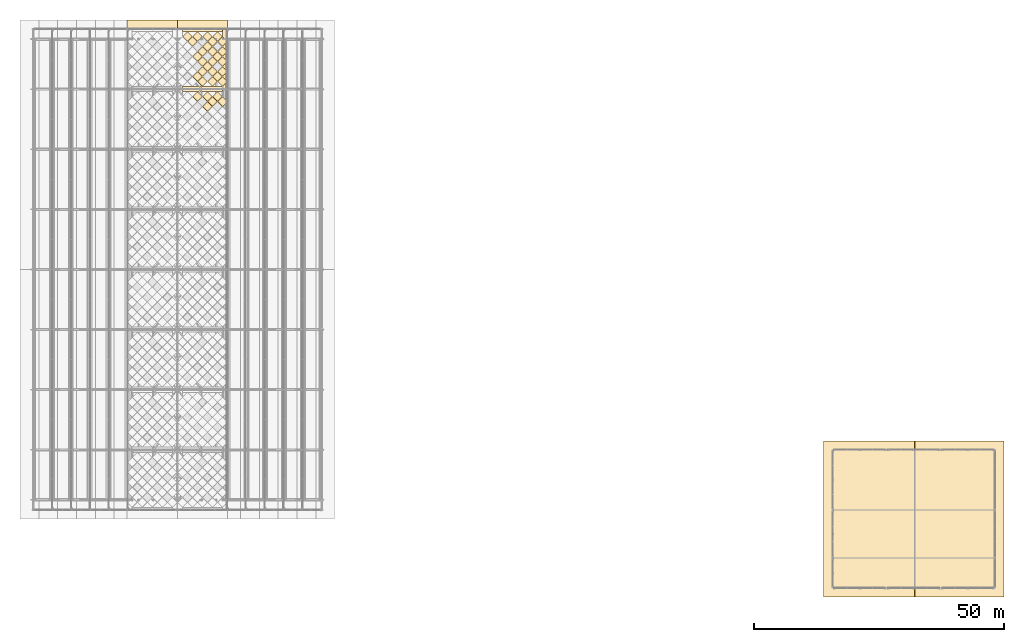
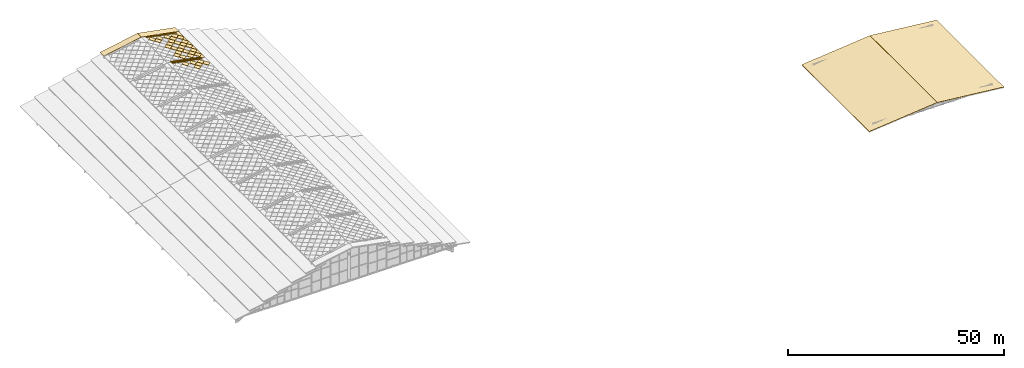
# One storey, part 117 of 117: 39 coverings.
"""IFC4 building model written with IfcOpenShell, lengths in metres."""

import ifcopenshell
import ifcopenshell.guid

model = None  # the IFC model being written
_history = None  # IfcOwnerHistory: only IFC2X3 demands one
_inside = {}  # id of a spatial element -> (the spatial element, [elements in it])
_under = {}  # id of a project, library or spatial element -> (it, [spatial elements below it])
_declared = {}  # id of a project -> (the project, [libraries it declares])
_typed = {}  # id of a type object -> (the type object, [elements of that type])
_made_of = {}  # id of a material, layer set ... -> (it, [elements and type objects made of it])


def new_model(schema):
    """Start an empty IFC model of exactly this schema.

    Asked for "IFC4X3", IfcOpenShell would pick the latest addendum, in which some entities
    have other attributes; the version numbers below select the first issue.
    IFC2X3 requires an IfcOwnerHistory on every rooted entity: one is made here for all.
    """
    global model, _history
    if schema == "IFC4X3":
        model = ifcopenshell.file(schema_version=(4, 3, 0, 0))
    else:
        model = ifcopenshell.file(schema=schema)
    _inside.clear()
    _under.clear()
    _declared.clear()
    _typed.clear()
    _made_of.clear()
    _history = None
    if model.schema == "IFC2X3":
        org = make("IfcOrganization", Name="unknown")
        user = make(
            "IfcPersonAndOrganization",
            ThePerson=make("IfcPerson", FamilyName="unknown"),
            TheOrganization=org,
        )
        app = make(
            "IfcApplication",
            ApplicationDeveloper=org,
            Version="unknown",
            ApplicationFullName="unknown",
            ApplicationIdentifier="unknown",
        )
        _history = make(
            "IfcOwnerHistory",
            OwningUser=user,
            OwningApplication=app,
            ChangeAction="ADDED",
            CreationDate=0,
        )
    return model


def make(cls, **values):
    """One entity of the class cls with the attributes given. An attribute that is None is left unset."""
    return model.create_entity(
        cls, **{name: value for name, value in values.items() if value is not None}
    )


def rooted(cls, **values):
    """An entity with a GlobalId (a new one), such as an element, a storey or a relation."""
    return make(cls, GlobalId=ifcopenshell.guid.new(), OwnerHistory=_history, **values)


def si_unit(unit_type, name, prefix=None):
    """IfcSIUnit, for example si_unit("LENGTHUNIT", "METRE", prefix="MILLI")."""
    return make("IfcSIUnit", UnitType=unit_type, Prefix=prefix, Name=name)


def assignment(units):
    """IfcUnitAssignment: the units of a project."""
    return None if units is None else make("IfcUnitAssignment", Units=units)


def point(xyz):
    """IfcCartesianPoint."""
    return None if xyz is None else make("IfcCartesianPoint", Coordinates=xyz)


def direction(xyz):
    """IfcDirection."""
    return None if xyz is None else make("IfcDirection", DirectionRatios=xyz)


def frame(location, z_axis=None, x_axis=None):
    """IfcAxis2Placement3D, a coordinate frame: its origin and axes. An axis left out is left unset."""
    return make(
        "IfcAxis2Placement3D",
        Location=point(location),
        Axis=direction(z_axis),
        RefDirection=direction(x_axis),
    )


def origin():
    """The frame at (0, 0, 0) with its axes left unset."""
    return frame((0.0, 0.0, 0.0))


def place(relative_to, where):
    """IfcLocalPlacement: puts the frame where relative to a parent placement (None: the world)."""
    return make(
        "IfcLocalPlacement", PlacementRelTo=relative_to, RelativePlacement=where
    )


def context(
    kind, dimensions, precision=None, world=None, true_north=None, identifier=None
):
    """IfcGeometricRepresentationContext, for example the 3D "Model" context."""
    return make(
        "IfcGeometricRepresentationContext",
        ContextIdentifier=identifier,
        ContextType=kind,
        CoordinateSpaceDimension=dimensions,
        Precision=precision,
        WorldCoordinateSystem=world,
        TrueNorth=true_north,
    )


def subcontext(parent, identifier, kind, view, scale=None):
    """IfcGeometricRepresentationSubContext, for example "Body" below "Model"."""
    return make(
        "IfcGeometricRepresentationSubContext",
        ContextIdentifier=identifier,
        ContextType=kind,
        ParentContext=parent,
        TargetScale=scale,
        TargetView=view,
    )


def project(units=None, contexts=None):
    """IfcProject with its units and contexts."""
    return rooted(
        "IfcProject",
        Name="project",
        RepresentationContexts=contexts,
        UnitsInContext=assignment(units),
    )


def spatial(cls, under=None, at=None, **own):
    """A site, building, storey or space (cls), placed at a placement, below another one or the project."""
    s = rooted(cls, ObjectPlacement=at, **own)
    if under is not None:
        _under.setdefault(under.id(), (under, []))[1].append(s)
    return s


def polyline(points):
    """IfcPolyline through the points."""
    return make("IfcPolyline", Points=[point(p) for p in points])


def outline(outer, holes=None, kind="AREA"):
    """IfcArbitraryClosedProfileDef: a profile drawn as a closed curve; with holes, ...WithVoids."""
    if holes is None:
        return make("IfcArbitraryClosedProfileDef", ProfileType=kind, OuterCurve=outer)
    return make(
        "IfcArbitraryProfileDefWithVoids",
        ProfileType=kind,
        OuterCurve=outer,
        InnerCurves=holes,
    )


def extrude(swept, where, along, depth):
    """IfcExtrudedAreaSolid: the profile swept, set in the frame where, extruded along a direction by depth."""
    return make(
        "IfcExtrudedAreaSolid",
        SweptArea=swept,
        Position=where,
        ExtrudedDirection=direction(along),
        Depth=depth,
    )


def shape(context_of_items, identifier, shape_type, items):
    """IfcShapeRepresentation: the items that make up one representation, for example the "Body"."""
    return make(
        "IfcShapeRepresentation",
        ContextOfItems=context_of_items,
        RepresentationIdentifier=identifier,
        RepresentationType=shape_type,
        Items=items,
    )


def material(Name=None, Category=None):
    """IfcMaterial."""
    return make("IfcMaterial", Name=Name, Category=Category)


def layer(
    of_material, thickness, ventilated=None, Name=None, Category=None, Priority=None
):
    """IfcMaterialLayer: one layer of a wall or slab, of a material (None: an air gap)."""
    return make(
        "IfcMaterialLayer",
        Material=of_material,
        LayerThickness=thickness,
        IsVentilated=ventilated,
        Name=Name,
        Category=Category,
        Priority=Priority,
    )


def layer_set(layers, Name=None):
    """IfcMaterialLayerSet."""
    return make("IfcMaterialLayerSet", MaterialLayers=layers, LayerSetName=Name)


def made_of(thing, what):
    """Note that an element or type object is made of a material, layer set ...; save() writes the relation."""
    if what is not None:
        _made_of.setdefault(what.id(), (what, []))[1].append(thing)
    return thing


def type_object(cls, material=None, **own):
    """A type object (cls), such as IfcWallType, which elements share."""
    return made_of(rooted(cls, **own), material)


def element(
    cls,
    number,
    at=None,
    inside=None,
    cuts=None,
    type_object=None,
    material=None,
    context=None,
    identifier="Body",
    shape_type=None,
    held_by="IfcProductDefinitionShape",
    body=None,
    shapes=None,
    **own,
):
    """One element of the class cls, such as IfcWall. Its Tag is "e" and its number.

    at: its placement. inside: the storey or other place that contains it. cuts: it is an
    opening in that element (IfcRelVoidsElement). A single representation is given by context,
    identifier, shape_type and body (its items); several are given by shapes. held_by: the class
    of the entity that holds the representations. save() writes the other relations.
    """
    e = rooted(cls, Tag="e%d" % number, ObjectPlacement=at, **own)
    if body is not None:
        shapes = [shape(context, identifier, shape_type, body)]
    if shapes is not None:
        e.Representation = make(held_by, Representations=shapes)
    if inside is not None:
        _inside.setdefault(inside.id(), (inside, []))[1].append(e)
    if cuts is not None:
        rooted(
            "IfcRelVoidsElement", RelatingBuildingElement=cuts, RelatedOpeningElement=e
        )
    if type_object is not None:
        _typed.setdefault(type_object.id(), (type_object, []))[1].append(e)
    return made_of(e, material)


def aggregate(whole, parts):
    """IfcRelAggregates: a whole, such as a stair, and the parts it consists of."""
    return rooted("IfcRelAggregates", RelatingObject=whole, RelatedObjects=parts)


def save(model, path):
    """Write the relations noted so far, then the file.

    IfcRelAggregates (storeys below a building ...), IfcRelContainedInSpatialStructure (elements
    in a storey), IfcRelDefinesByType, IfcRelAssociatesMaterial and IfcRelDeclares: one each for
    every whole, place, type object, material and project.
    """
    for whole, parts in _under.values():
        aggregate(whole, parts)
    for where, things in _inside.values():
        rooted(
            "IfcRelContainedInSpatialStructure",
            RelatedElements=things,
            RelatingStructure=where,
        )
    for kind, things in _typed.values():
        rooted("IfcRelDefinesByType", RelatedObjects=things, RelatingType=kind)
    for what, things in _made_of.values():
        rooted("IfcRelAssociatesMaterial", RelatedObjects=things, RelatingMaterial=what)
    for by, libraries in _declared.values():
        rooted("IfcRelDeclares", RelatingContext=by, RelatedDefinitions=libraries)
    model.write(path)


model = new_model("IFC4")

# Units and contexts
model_context = context("Model", 3, precision=1e-05, world=origin(), true_north=direction((0.0, 1.0)))
body_context = subcontext(model_context, "Body", "Model", "MODEL_VIEW")
ifc_project = project(units=[si_unit("LENGTHUNIT", "METRE"), si_unit("AREAUNIT", "SQUARE_METRE"), si_unit("VOLUMEUNIT", "CUBIC_METRE"), si_unit("PLANEANGLEUNIT", "RADIAN"), si_unit("MASSUNIT", "GRAM", prefix="KILO")], contexts=[model_context])

# Site, building, storey
site_placement = place(None, origin())
site = spatial("IfcSite", under=ifc_project, at=site_placement, CompositionType="ELEMENT")
building_placement = place(site_placement, origin())
building = spatial("IfcBuilding", under=site, at=building_placement, Name="Merenkruunu Market Hall", CompositionType="ELEMENT")
storey_placement = place(building_placement, frame((0.0, 0.0, 22.800048828125)))
storey = spatial("IfcBuildingStorey", under=building, at=storey_placement, Name="RF", CompositionType="ELEMENT", Elevation=22.800048828125)

# Coverings
ifc_material_1 = material(Name="High-albedo white steel roof cladding", Category="steel")
ifc_layer_1 = layer(ifc_material_1, 0.080078125)
ifc_layer_set_1 = layer_set([ifc_layer_1], Name="High-albedo white steel roof cladding")
covering_type_1 = type_object("IfcCoveringType", Name="Insulated White Diamond Roof Panel RFG01", PredefinedType="ROOFING", material=ifc_layer_set_1)
for number, where, z_axis, x_axis, name in (
    (1, (31.85498046875, 98.10009765625, 1.3076171875), (0.184831776078, 0.0, 0.982770173821), (0.700840184643, -0.701034617669, -0.131808574909), "COV-CROWN-PNL-484"),
    (2, (33.85498046875, 96.10009765625, 0.931640625), (0.184831776078, 0.0, 0.982770173821), (0.700840184643, -0.701034617669, -0.131808574909), "COV-CROWN-PNL-490"),
    (3, (33.85498046875, 98.10009765625, 0.931640625), (0.184831776078, 0.0, 0.982770173821), (0.700840184643, -0.701034617669, -0.131808574909), "COV-CROWN-PNL-491"),
    (4, (34.85498046875, 97.10009765625, 0.74365234375), (0.184831776078, 0.0, 0.982770173821), (0.700840184643, -0.701034617669, -0.131808574909), "COV-CROWN-PNL-496"),
    (5, (35.85498046875, 98.10009765625, 0.5556640625), (0.184831776078, 0.0, 0.982770173821), (0.700840184643, -0.701034617669, -0.131808574909), "COV-CROWN-PNL-499"),
    (6, (36.85498046875, 97.10009765625, 0.36767578125), (0.184831776078, 0.0, 0.982770173821), (0.700840184643, -0.701034617669, -0.131808574909), "COV-CROWN-PNL-504"),
):
    element("IfcCovering", number, at=place(storey_placement, frame(where, z_axis=z_axis, x_axis=x_axis)), inside=storey, type_object=covering_type_1, Name=name, PredefinedType="ROOFING", context=body_context, shape_type="SweptSolid", body=[
        extrude(outline(polyline([(0.0, 0.0), (1.3696970933020924, 3.8163916471489756e-17), (1.3931523667781838, 1.3695284344678598), (0.023594244677936634, 1.3693226969882304), (0.0, 0.0)])), origin(), (0.0, 0.0, -1.0), 0.080078125),
    ])
for number, where, z_axis, x_axis, name in (
    (7, (29.85498046875, 110.10009765625, 1.68359375), (0.184711070472, 0.0, 0.982792867518), (0.700856370735, -0.70103461498, -0.131722496941), "COV-CROWN-PNL-548"),
    (8, (30.85498046875, 109.10009765625, 1.49560546875), (0.184711070472, 0.0, 0.982792867518), (0.700856370735, -0.70103461498, -0.131722496941), "COV-CROWN-PNL-553"),
):
    element("IfcCovering", number, at=place(storey_placement, frame(where, z_axis=z_axis, x_axis=x_axis)), inside=storey, type_object=covering_type_1, Name=name, PredefinedType="ROOFING", context=body_context, shape_type="SweptSolid", body=[
        extrude(outline(polyline([(0.0, 0.0), (1.369697098555844, -1.1796119636642288e-16), (1.393120202621735, 1.3694968053954037), (0.0235942550949389, 1.369322702063927), (0.0, 0.0)])), origin(), (0.0, 0.0, -1.0), 0.080078125),
    ])
for number, where, z_axis, x_axis, name in (
    (9, (31.85498046875, 102.10009765625, 1.3076171875), (0.184831776078, 0.0, 0.982770173821), (0.700840184643, -0.701034617669, -0.131808574909), "COV-CROWN-PNL-554"),
    (10, (31.85498046875, 106.10009765625, 1.3076171875), (0.184831776078, 0.0, 0.982770173821), (0.700840184643, -0.701034617669, -0.131808574909), "COV-CROWN-PNL-555"),
    (11, (31.85498046875, 110.10009765625, 1.3076171875), (0.184831776078, 0.0, 0.982770173821), (0.700840184643, -0.701034617669, -0.131808574909), "COV-CROWN-PNL-556"),
    (12, (32.85498046875, 101.10009765625, 1.11962890625), (0.184831776078, 0.0, 0.982770173821), (0.700840184643, -0.701034617669, -0.131808574909), "COV-CROWN-PNL-557"),
    (13, (32.85498046875, 103.10009765625, 1.11962890625), (0.184831776078, 0.0, 0.982770173821), (0.700840184643, -0.701034617669, -0.131808574909), "COV-CROWN-PNL-558"),
    (14, (32.85498046875, 105.10009765625, 1.11962890625), (0.184831776078, 0.0, 0.982770173821), (0.700840184643, -0.701034617669, -0.131808574909), "COV-CROWN-PNL-559"),
    (15, (32.85498046875, 107.10009765625, 1.11962890625), (0.184831776078, 0.0, 0.982770173821), (0.700840184643, -0.701034617669, -0.131808574909), "COV-CROWN-PNL-560"),
    (16, (33.85498046875, 104.10009765625, 0.931640625), (0.184831776078, 0.0, 0.982770173821), (0.700840184643, -0.701034617669, -0.131808574909), "COV-CROWN-PNL-561"),
    (17, (33.85498046875, 108.10009765625, 0.931640625), (0.184831776078, 0.0, 0.982770173821), (0.700840184643, -0.701034617669, -0.131808574909), "COV-CROWN-PNL-562"),
    (18, (33.85498046875, 110.10009765625, 0.931640625), (0.184831776078, 0.0, 0.982770173821), (0.700840184643, -0.701034617669, -0.131808574909), "COV-CROWN-PNL-563"),
    (19, (34.85498046875, 101.10009765625, 0.74365234375), (0.184831776078, 0.0, 0.982770173821), (0.700840184643, -0.701034617669, -0.131808574909), "COV-CROWN-PNL-564"),
    (20, (34.85498046875, 103.10009765625, 0.74365234375), (0.184831776078, 0.0, 0.982770173821), (0.700840184643, -0.701034617669, -0.131808574909), "COV-CROWN-PNL-565"),
    (21, (34.85498046875, 105.10009765625, 0.74365234375), (0.184831776078, 0.0, 0.982770173821), (0.700840184643, -0.701034617669, -0.131808574909), "COV-CROWN-PNL-566"),
    (22, (34.85498046875, 107.10009765625, 0.74365234375), (0.184831776078, 0.0, 0.982770173821), (0.700840184643, -0.701034617669, -0.131808574909), "COV-CROWN-PNL-567"),
    (23, (34.85498046875, 109.10009765625, 0.74365234375), (0.184831776078, 0.0, 0.982770173821), (0.700840184643, -0.701034617669, -0.131808574909), "COV-CROWN-PNL-568"),
    (24, (35.85498046875, 102.10009765625, 0.5556640625), (0.184831776078, 0.0, 0.982770173821), (0.700840184643, -0.701034617669, -0.131808574909), "COV-CROWN-PNL-569"),
    (25, (35.85498046875, 106.10009765625, 0.5556640625), (0.184831776078, 0.0, 0.982770173821), (0.700840184643, -0.701034617669, -0.131808574909), "COV-CROWN-PNL-570"),
    (26, (35.85498046875, 110.10009765625, 0.5556640625), (0.184831776078, 0.0, 0.982770173821), (0.700840184643, -0.701034617669, -0.131808574909), "COV-CROWN-PNL-571"),
    (27, (36.85498046875, 101.10009765625, 0.36767578125), (0.184831776078, 0.0, 0.982770173821), (0.700840184643, -0.701034617669, -0.131808574909), "COV-CROWN-PNL-572"),
    (28, (36.85498046875, 103.10009765625, 0.36767578125), (0.184831776078, 0.0, 0.982770173821), (0.700840184643, -0.701034617669, -0.131808574909), "COV-CROWN-PNL-573"),
    (29, (36.85498046875, 105.10009765625, 0.36767578125), (0.184831776078, 0.0, 0.982770173821), (0.700840184643, -0.701034617669, -0.131808574909), "COV-CROWN-PNL-574"),
    (30, (36.85498046875, 107.10009765625, 0.36767578125), (0.184831776078, 0.0, 0.982770173821), (0.700840184643, -0.701034617669, -0.131808574909), "COV-CROWN-PNL-575"),
    (31, (36.85498046875, 109.10009765625, 0.36767578125), (0.184831776078, 0.0, 0.982770173821), (0.700840184643, -0.701034617669, -0.131808574909), "COV-CROWN-PNL-576"),
):
    element("IfcCovering", number, at=place(storey_placement, frame(where, z_axis=z_axis, x_axis=x_axis)), inside=storey, type_object=covering_type_1, Name=name, PredefinedType="ROOFING", context=body_context, shape_type="SweptSolid", body=[
        extrude(outline(polyline([(0.0, 0.0), (1.3696970933020924, 3.8163916471489756e-17), (1.3931523667781838, 1.3695284344678598), (0.023594244677936634, 1.3693226969882304), (0.0, 0.0)])), origin(), (0.0, 0.0, -1.0), 0.080078125),
    ])
covering_1_placement = place(storey_placement, frame((157.791748046875, -1.800048828125, -1.219970703125), z_axis=(-0.101132803448, 0.0, 0.994872934634), x_axis=(0.994872934634, 0.0, 0.101132803448)))
element("IfcCovering", 32, at=covering_1_placement, inside=storey, type_object=covering_type_1, Name="COV-SLRF-025", PredefinedType="ROOFING", context=body_context, shape_type="SweptSolid", body=[
    extrude(outline(polyline([(0.0, 0.0), (18.29374439518318, 0.0), (18.29374439518318, 31.199951171875), (0.0, 31.199951171875), (0.0, 0.0)])), origin(), (0.0, 0.0, -1.0), 0.080078125),
])
covering_2_placement = place(storey_placement, frame((176.00830078125, -1.800048828125, 0.630126953125), z_axis=(0.103380870474, 0.0, 0.994641842886), x_axis=(0.994641842886, 0.0, -0.103380870474)))
element("IfcCovering", 33, at=covering_2_placement, inside=storey, type_object=covering_type_1, Name="COV-SLRF-026", PredefinedType="ROOFING", context=body_context, shape_type="SweptSolid", body=[
    extrude(outline(polyline([(0.0, 0.0), (17.895938076035467, 0.0), (17.895938076035467, 31.199951171875), (0.0, 31.199951171875), (0.0, 0.0)])), origin(), (0.0, 0.0, -1.0), 0.080078125),
])
for number, where, z_axis, x_axis, name in (
    (34, (18.78515625, 111.60009765625, -0.000732421875), (-0.184752092456, 0.0, 0.982785156753), (0.982785156753, 0.0, 0.184752092456), "COV-SLRF-053"),
    (35, (28.81494140625, 111.60009765625, 1.879150390625), (0.184752092456, 0.0, 0.982785156753), (0.982785156753, 0.0, -0.184752092456), "COV-SLRF-054"),
):
    element("IfcCovering", number, at=place(storey_placement, frame(where, z_axis=z_axis, x_axis=x_axis)), inside=storey, type_object=covering_type_1, Name=name, PredefinedType="ROOFING", context=body_context, shape_type="SweptSolid", body=[
        extrude(outline(polyline([(0.0, 0.0), (10.175163850706923, 0.0), (10.175163850706923, 1.7998046875000004), (0.0, 1.7998046875000004), (0.0, 0.0)])), origin(), (0.0, 0.0, -1.0), 0.080078125),
    ])
ifc_material_2 = material(Name="High-albedo white roof membrane")
ifc_layer_2 = layer(ifc_material_2, 0.06005859375)
ifc_layer_set_2 = layer_set([ifc_layer_2], Name="High-albedo white roof membrane")
covering_type_2 = type_object("IfcCoveringType", Name="Warm Membrane Roof Covering RFG02", PredefinedType="ROOFING", material=ifc_layer_set_2)
covering_3_placement = place(storey_placement, frame((29.811279296875, 99.080078125, 1.67138671875), z_axis=(0.184752092456, 0.0, 0.982785156753), x_axis=(0.982785156753, 0.0, -0.184752092456)))
element("IfcCovering", 36, at=covering_3_placement, inside=storey, type_object=covering_type_2, Name="COV-CROWN-TRIM-056", PredefinedType="ROOFING", context=body_context, shape_type="SweptSolid", body=[
    extrude(outline(polyline([(0.0, 0.0), (8.140131080565538, 0.0), (8.140131080565538, 0.5000000000000001), (0.0, 0.5000000000000001), (0.0, 0.0)])), origin(), (0.0, 0.0, -1.0), 0.06005859375),
])
covering_4_placement = place(storey_placement, frame((37.831298828125, 99.6201171875, 0.16357421875), z_axis=(0.184711070472, 0.0, 0.982792867518), x_axis=(0.982792867518, 0.0, -0.184711070472)))
element("IfcCovering", 37, at=covering_4_placement, inside=storey, type_object=covering_type_2, Name="COV-CROWN-TRIM-062", PredefinedType="ROOFING", context=body_context, shape_type="SweptSolid", body=[
    extrude(outline(polyline([(0.0, 0.0), (0.9767683193753063, 0.0), (0.9767683193753063, 11.9599609375), (0.0, 11.9599609375), (0.0, 0.0)])), origin(), (0.0, 0.0, -1.0), 0.06005859375),
])
for number, where, z_axis, x_axis, name in (
    (38, (29.811279296875, 99.6201171875, 1.67138671875), (0.184752092456, 0.0, 0.982785156753), (0.982785156753, 0.0, -0.184752092456), "COV-CROWN-TRIM-063"),
    (39, (29.811279296875, 111.080078125, 1.67138671875), (0.184752092456, 0.0, 0.982785156753), (0.982785156753, 0.0, -0.184752092456), "COV-CROWN-TRIM-064"),
):
    element("IfcCovering", number, at=place(storey_placement, frame(where, z_axis=z_axis, x_axis=x_axis)), inside=storey, type_object=covering_type_2, Name=name, PredefinedType="ROOFING", context=body_context, shape_type="SweptSolid", body=[
        extrude(outline(polyline([(0.0, 0.0), (8.140131080565538, 0.0), (8.140131080565538, 0.5000000000000001), (0.0, 0.5000000000000001), (0.0, 0.0)])), origin(), (0.0, 0.0, -1.0), 0.06005859375),
    ])

save(model, "model.ifc")
